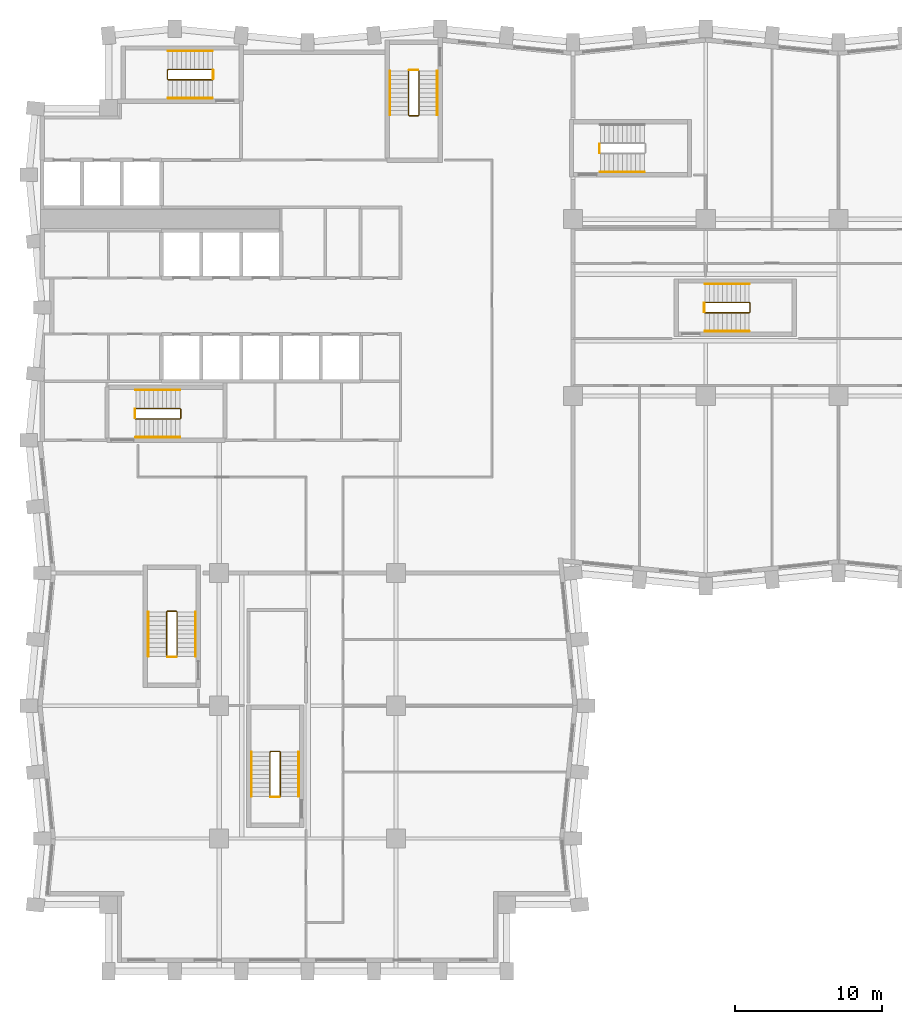
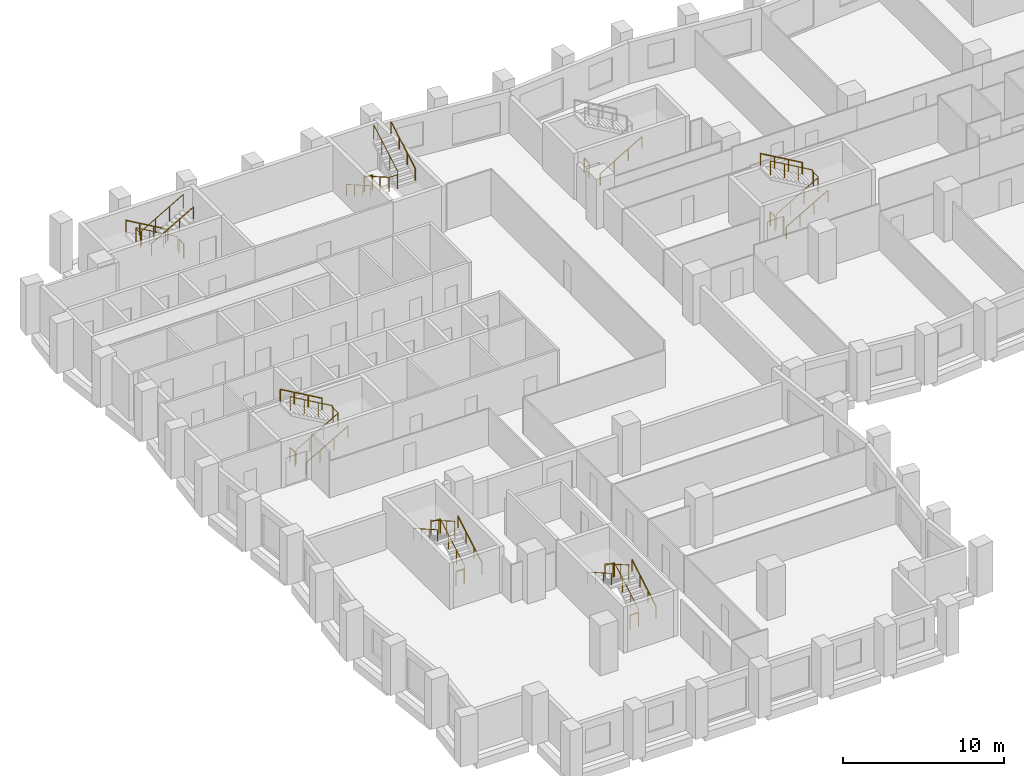
# One storey, part 10 of 11: 26 railings.
"""IFC4 building model written with IfcOpenShell, lengths in metres."""

from ifc_helpers import new_model, si_unit, direction, frame, origin, origin_2d, place, context, subcontext, project, spatial, circle, extrude, material, type_object, element, save


model = new_model("IFC4")

# Units and contexts
model_context = context("Model", 3, precision=1e-05, world=origin(), true_north=direction((0.0, 1.0)))
body_context = subcontext(model_context, "Body", "Model", "MODEL_VIEW")
ifc_project = project(units=[si_unit("LENGTHUNIT", "METRE"), si_unit("AREAUNIT", "SQUARE_METRE"), si_unit("VOLUMEUNIT", "CUBIC_METRE"), si_unit("PLANEANGLEUNIT", "RADIAN"), si_unit("MASSUNIT", "GRAM", prefix="KILO")], contexts=[model_context])

# Site, building, storey
site_placement = place(None, origin())
site = spatial("IfcSite", under=ifc_project, at=site_placement, CompositionType="ELEMENT")
building_placement = place(site_placement, origin())
building = spatial("IfcBuilding", under=site, at=building_placement, Name="Brondeck Convention Tower", CompositionType="ELEMENT")
storey_placement = place(building_placement, frame((0.0, 0.0, 126.5)))
storey = spatial("IfcBuildingStorey", under=building, at=storey_placement, Name="L30", CompositionType="ELEMENT", Elevation=126.5)

# Railings
ifc_material = material(Name="Steel S355", Category="steel")
railing_type_1 = type_object("IfcRailingType", Name="Stair guard 1100", PredefinedType="GUARDRAIL", material=ifc_material)
railing_1_placement = place(storey_placement, frame((6.35009765625, 37.449951171875, 0.172607421875)))
element("IfcRailing", 1, at=railing_1_placement, inside=storey, type_object=railing_type_1, Name="L30 ST-1 stair guard 1", PredefinedType="GUARDRAIL", context=body_context, shape_type="SweptSolid", body=[
    extrude(circle(Radius=0.02392578125, at=origin_2d()), frame((0.0, 0.0, 1.076171875), z_axis=(0.866619684472, 0.0, 0.498969260062), x_axis=(0.0, 1.0, 0.0)), (0.0, 0.0, 1.0), 3.461669921875),
    extrude(circle(Radius=0.02392578125, at=origin_2d()), frame((3.0, 0.0, 2.80322265625), z_axis=(0.705375805398, 0.708833529934, 0.0), x_axis=(-0.708833529934, 0.705375805398, 0.0)), (0.0, 0.0, 1.0), 0.070556640625),
    extrude(circle(Radius=0.02392578125, at=origin_2d()), frame((3.0498046875, 0.050048828125, 2.80322265625), z_axis=(0.0, 1.0, 0.0), x_axis=(-1.0, 0.0, 0.0)), (0.0, 0.0, 1.0), 0.60009765625),
    extrude(circle(Radius=0.02392578125, at=origin_2d()), frame((3.0498046875, 0.650146484375, 2.80322265625), z_axis=(-0.266832911964, 0.266832911964, 0.926067165051), x_axis=(-0.707106781187, -0.707106781187, 0.0)), (0.0, 0.0, 1.0), 0.186767578125),
    extrude(circle(Radius=0.02392578125, at=origin_2d()), frame((3.0, 0.699951171875, 2.97607421875), z_axis=(-0.866619684472, 0.0, 0.498969260062), x_axis=(0.0, -1.0, 0.0)), (0.0, 0.0, 1.0), 3.461669921875),
    extrude(circle(Radius=0.02099609375, at=origin_2d()), origin(), (0.0, 0.0, 1.0), 1.052001953125),
    extrude(circle(Radius=0.02099609375, at=origin_2d()), frame((1.0, 0.0, 0.57568359375)), (0.0, 0.0, 1.0), 1.052001953125),
    extrude(circle(Radius=0.02099609375, at=origin_2d()), frame((2.0, 0.0, 1.151611328125)), (0.0, 0.0, 1.0), 1.052001953125),
    extrude(circle(Radius=0.02099609375, at=origin_2d()), frame((3.0, 0.0, 1.727294921875)), (0.0, 0.0, 1.0), 1.052001953125),
    extrude(circle(Radius=0.02099609375, at=origin_2d()), frame((3.0498046875, 0.050048828125, 1.727294921875)), (0.0, 0.0, 1.0), 1.052001953125),
    extrude(circle(Radius=0.02099609375, at=origin_2d()), frame((3.0498046875, 0.650146484375, 1.727294921875)), (0.0, 0.0, 1.0), 1.052001953125),
    extrude(circle(Radius=0.02099609375, at=origin_2d()), frame((3.0, 0.699951171875, 1.900146484375)), (0.0, 0.0, 1.0), 1.052001953125),
    extrude(circle(Radius=0.02099609375, at=origin_2d()), frame((2.0, 0.699951171875, 2.475830078125)), (0.0, 0.0, 1.0), 1.052001953125),
    extrude(circle(Radius=0.02099609375, at=origin_2d()), frame((1.0, 0.699951171875, 3.0517578125)), (0.0, 0.0, 1.0), 1.052001953125),
    extrude(circle(Radius=0.02099609375, at=origin_2d()), frame((0.0, 0.699951171875, 3.62744140625)), (0.0, 0.0, 1.0), 1.052001953125),
])
railing_2_placement = place(storey_placement, frame((6.300048828125, 37.5, 0.0)))
element("IfcRailing", 2, at=railing_2_placement, inside=storey, type_object=railing_type_1, Name="L30 ST-1 stair guard 2", PredefinedType="GUARDRAIL", context=body_context, shape_type="SweptSolid", body=[
    extrude(circle(Radius=0.02392578125, at=origin_2d()), frame((0.0, 0.0, 1.076171875), z_axis=(0.0, 1.0, 0.0), x_axis=(-1.0, 0.0, 0.0)), (0.0, 0.0, 1.0), 0.60009765625),
    extrude(circle(Radius=0.02099609375, at=origin_2d()), origin(), (0.0, 0.0, 1.0), 1.052001953125),
    extrude(circle(Radius=0.02099609375, at=origin_2d()), frame((0.0, 0.60009765625, 0.0)), (0.0, 0.0, 1.0), 1.052001953125),
])
railing_3_placement = place(storey_placement, frame((24.85009765625, 61.050048828125, 0.172607421875)))
element("IfcRailing", 3, at=railing_3_placement, inside=storey, type_object=railing_type_1, Name="L30 ST-2 stair guard 1", PredefinedType="GUARDRAIL", context=body_context, shape_type="SweptSolid", body=[
    extrude(circle(Radius=0.02392578125, at=origin_2d()), frame((0.0, 0.0, 1.076171875), z_axis=(0.0, -0.866619684472, 0.498969260062), x_axis=(1.0, 0.0, 0.0)), (0.0, 0.0, 1.0), 3.461669921875),
    extrude(circle(Radius=0.02392578125, at=origin_2d()), frame((0.0, -3.0, 2.80322265625), z_axis=(0.705375805398, -0.708833529934, 0.0), x_axis=(0.708833529934, 0.705375805398, 0.0)), (0.0, 0.0, 1.0), 0.070556640625),
    extrude(circle(Radius=0.02392578125, at=origin_2d()), frame((0.0498046875, -3.050048828125, 2.80322265625), z_axis=(1.0, 0.0, 0.0), x_axis=(0.0, 1.0, 0.0)), (0.0, 0.0, 1.0), 0.60009765625),
    extrude(circle(Radius=0.02392578125, at=origin_2d()), frame((0.64990234375, -3.050048828125, 2.80322265625), z_axis=(0.267953482034, 0.267953482034, 0.925419830635), x_axis=(-0.707106781187, 0.707106781187, 0.0)), (0.0, 0.0, 1.0), 0.186767578125),
    extrude(circle(Radius=0.02392578125, at=origin_2d()), frame((0.699951171875, -3.0, 2.97607421875), z_axis=(0.0, 0.866619684472, 0.498969260062), x_axis=(-1.0, 0.0, 0.0)), (0.0, 0.0, 1.0), 3.461669921875),
    extrude(circle(Radius=0.02099609375, at=origin_2d()), origin(), (0.0, 0.0, 1.0), 1.052001953125),
    extrude(circle(Radius=0.02099609375, at=origin_2d()), frame((0.0, -1.0, 0.57568359375)), (0.0, 0.0, 1.0), 1.052001953125),
    extrude(circle(Radius=0.02099609375, at=origin_2d()), frame((0.0, -2.0, 1.151611328125)), (0.0, 0.0, 1.0), 1.052001953125),
    extrude(circle(Radius=0.02099609375, at=origin_2d()), frame((0.0, -3.0, 1.727294921875)), (0.0, 0.0, 1.0), 1.052001953125),
    extrude(circle(Radius=0.02099609375, at=origin_2d()), frame((0.0498046875, -3.050048828125, 1.727294921875)), (0.0, 0.0, 1.0), 1.052001953125),
    extrude(circle(Radius=0.02099609375, at=origin_2d()), frame((0.64990234375, -3.050048828125, 1.727294921875)), (0.0, 0.0, 1.0), 1.052001953125),
    extrude(circle(Radius=0.02099609375, at=origin_2d()), frame((0.699951171875, -3.0, 1.900146484375)), (0.0, 0.0, 1.0), 1.052001953125),
    extrude(circle(Radius=0.02099609375, at=origin_2d()), frame((0.699951171875, -2.0, 2.475830078125)), (0.0, 0.0, 1.0), 1.052001953125),
    extrude(circle(Radius=0.02099609375, at=origin_2d()), frame((0.699951171875, -1.0, 3.0517578125)), (0.0, 0.0, 1.0), 1.052001953125),
    extrude(circle(Radius=0.02099609375, at=origin_2d()), frame((0.699951171875, 0.0, 3.62744140625)), (0.0, 0.0, 1.0), 1.052001953125),
])
railing_4_placement = place(storey_placement, frame((24.89990234375, 61.10009765625, 0.0)))
element("IfcRailing", 4, at=railing_4_placement, inside=storey, type_object=railing_type_1, Name="L30 ST-2 stair guard 2", PredefinedType="GUARDRAIL", context=body_context, shape_type="SweptSolid", body=[
    extrude(circle(Radius=0.02392578125, at=origin_2d()), frame((0.0, 0.0, 1.076171875), z_axis=(1.0, 0.0, 0.0), x_axis=(0.0, 1.0, 0.0)), (0.0, 0.0, 1.0), 0.60009765625),
    extrude(circle(Radius=0.02099609375, at=origin_2d()), origin(), (0.0, 0.0, 1.0), 1.052001953125),
    extrude(circle(Radius=0.02099609375, at=origin_2d()), frame((0.60009765625, 0.0, 0.0)), (0.0, 0.0, 1.0), 1.052001953125),
])
railing_5_placement = place(storey_placement, frame((11.550048828125, 61.14990234375, 0.172607421875)))
element("IfcRailing", 5, at=railing_5_placement, inside=storey, type_object=railing_type_1, Name="L30 ST-3 stair guard 1", PredefinedType="GUARDRAIL", context=body_context, shape_type="SweptSolid", body=[
    extrude(circle(Radius=0.02392578125, at=origin_2d()), frame((0.0, 0.0, 1.076171875), z_axis=(-0.866619684472, 0.0, 0.498969260062), x_axis=(0.0, -1.0, 0.0)), (0.0, 0.0, 1.0), 3.461669921875),
    extrude(circle(Radius=0.02392578125, at=origin_2d()), frame((-3.0, 0.0, 2.80322265625), z_axis=(-0.708833529934, -0.705375805398, 0.0), x_axis=(0.705375805398, -0.708833529934, 0.0)), (0.0, 0.0, 1.0), 0.070556640625),
    extrude(circle(Radius=0.02392578125, at=origin_2d()), frame((-3.050048828125, -0.0498046875, 2.80322265625), z_axis=(0.0, -1.0, 0.0), x_axis=(1.0, 0.0, 0.0)), (0.0, 0.0, 1.0), 0.60009765625),
    extrude(circle(Radius=0.02392578125, at=origin_2d()), frame((-3.050048828125, -0.64990234375, 2.80322265625), z_axis=(0.267953482034, -0.267953482034, 0.925419830635), x_axis=(0.707106781187, 0.707106781187, 0.0)), (0.0, 0.0, 1.0), 0.186767578125),
    extrude(circle(Radius=0.02392578125, at=origin_2d()), frame((-3.0, -0.699951171875, 2.97607421875), z_axis=(0.866619684472, 0.0, 0.498969260062), x_axis=(0.0, 1.0, 0.0)), (0.0, 0.0, 1.0), 3.461669921875),
    extrude(circle(Radius=0.02099609375, at=origin_2d()), origin(), (0.0, 0.0, 1.0), 1.052001953125),
    extrude(circle(Radius=0.02099609375, at=origin_2d()), frame((-1.0, 0.0, 0.57568359375)), (0.0, 0.0, 1.0), 1.052001953125),
    extrude(circle(Radius=0.02099609375, at=origin_2d()), frame((-2.0, 0.0, 1.151611328125)), (0.0, 0.0, 1.0), 1.052001953125),
    extrude(circle(Radius=0.02099609375, at=origin_2d()), frame((-3.0, 0.0, 1.727294921875)), (0.0, 0.0, 1.0), 1.052001953125),
    extrude(circle(Radius=0.02099609375, at=origin_2d()), frame((-3.050048828125, -0.0498046875, 1.727294921875)), (0.0, 0.0, 1.0), 1.052001953125),
    extrude(circle(Radius=0.02099609375, at=origin_2d()), frame((-3.050048828125, -0.64990234375, 1.727294921875)), (0.0, 0.0, 1.0), 1.052001953125),
    extrude(circle(Radius=0.02099609375, at=origin_2d()), frame((-3.0, -0.699951171875, 1.900146484375)), (0.0, 0.0, 1.0), 1.052001953125),
    extrude(circle(Radius=0.02099609375, at=origin_2d()), frame((-2.0, -0.699951171875, 2.475830078125)), (0.0, 0.0, 1.0), 1.052001953125),
    extrude(circle(Radius=0.02099609375, at=origin_2d()), frame((-1.0, -0.699951171875, 3.0517578125)), (0.0, 0.0, 1.0), 1.052001953125),
    extrude(circle(Radius=0.02099609375, at=origin_2d()), frame((0.0, -0.699951171875, 3.62744140625)), (0.0, 0.0, 1.0), 1.052001953125),
])
railing_6_placement = place(storey_placement, frame((11.60009765625, 61.10009765625, 0.0)))
element("IfcRailing", 6, at=railing_6_placement, inside=storey, type_object=railing_type_1, Name="L30 ST-3 stair guard 2", PredefinedType="GUARDRAIL", context=body_context, shape_type="SweptSolid", body=[
    extrude(circle(Radius=0.02392578125, at=origin_2d()), frame((0.0, 0.0, 1.076171875), z_axis=(0.0, -1.0, 0.0), x_axis=(1.0, 0.0, 0.0)), (0.0, 0.0, 1.0), 0.60009765625),
    extrude(circle(Radius=0.02099609375, at=origin_2d()), origin(), (0.0, 0.0, 1.0), 1.052001953125),
    extrude(circle(Radius=0.02099609375, at=origin_2d()), frame((0.0, -0.60009765625, 0.0)), (0.0, 0.0, 1.0), 1.052001953125),
])
railing_7_placement = place(storey_placement, frame((37.800048828125, 55.5, 0.0)))
element("IfcRailing", 7, at=railing_7_placement, inside=storey, type_object=railing_type_1, Name="L30 ST-AE stair guard 2", PredefinedType="GUARDRAIL", context=body_context, shape_type="SweptSolid", body=[
    extrude(circle(Radius=0.02392578125, at=origin_2d()), frame((0.0, 0.0, 1.076171875), z_axis=(0.0, 1.0, 0.0), x_axis=(-1.0, 0.0, 0.0)), (0.0, 0.0, 1.0), 0.60009765625),
    extrude(circle(Radius=0.02099609375, at=origin_2d()), origin(), (0.0, 0.0, 1.0), 1.052001953125),
    extrude(circle(Radius=0.02099609375, at=origin_2d()), frame((0.0, 0.60009765625, 0.0)), (0.0, 0.0, 1.0), 1.052001953125),
])
railing_8_placement = place(storey_placement, frame((9.14990234375, 21.35009765625, 0.172607421875)))
element("IfcRailing", 8, at=railing_8_placement, inside=storey, type_object=railing_type_1, Name="L30 ST-BE stair guard 1", PredefinedType="GUARDRAIL", context=body_context, shape_type="SweptSolid", body=[
    extrude(circle(Radius=0.02392578125, at=origin_2d()), frame((0.0, 0.0, 1.076171875), z_axis=(0.0, 0.866619684472, 0.498969260062), x_axis=(-1.0, 0.0, 0.0)), (0.0, 0.0, 1.0), 3.461669921875),
    extrude(circle(Radius=0.02392578125, at=origin_2d()), frame((0.0, 3.0, 2.80322265625), z_axis=(-0.707106781187, 0.707106781187, 0.0), x_axis=(-0.707106781187, -0.707106781187, 0.0)), (0.0, 0.0, 1.0), 0.0703125),
    extrude(circle(Radius=0.02392578125, at=origin_2d()), frame((-0.0498046875, 3.0498046875, 2.80322265625), z_axis=(-1.0, 0.0, 0.0), x_axis=(0.0, -1.0, 0.0)), (0.0, 0.0, 1.0), 0.60009765625),
    extrude(circle(Radius=0.02392578125, at=origin_2d()), frame((-0.64990234375, 3.0498046875, 2.80322265625), z_axis=(-0.268047150085, -0.266739603011, 0.925743328097), x_axis=(0.705375805398, -0.708833529934, 0.0)), (0.0, 0.0, 1.0), 0.186767578125),
    extrude(circle(Radius=0.02392578125, at=origin_2d()), frame((-0.699951171875, 3.0, 2.97607421875), z_axis=(0.0, -0.866619684472, 0.498969260062), x_axis=(1.0, 0.0, 0.0)), (0.0, 0.0, 1.0), 3.461669921875),
    extrude(circle(Radius=0.02099609375, at=origin_2d()), origin(), (0.0, 0.0, 1.0), 1.052001953125),
    extrude(circle(Radius=0.02099609375, at=origin_2d()), frame((0.0, 1.0, 0.57568359375)), (0.0, 0.0, 1.0), 1.052001953125),
    extrude(circle(Radius=0.02099609375, at=origin_2d()), frame((0.0, 2.0, 1.151611328125)), (0.0, 0.0, 1.0), 1.052001953125),
    extrude(circle(Radius=0.02099609375, at=origin_2d()), frame((0.0, 3.0, 1.727294921875)), (0.0, 0.0, 1.0), 1.052001953125),
    extrude(circle(Radius=0.02099609375, at=origin_2d()), frame((-0.0498046875, 3.0498046875, 1.727294921875)), (0.0, 0.0, 1.0), 1.052001953125),
    extrude(circle(Radius=0.02099609375, at=origin_2d()), frame((-0.64990234375, 3.0498046875, 1.727294921875)), (0.0, 0.0, 1.0), 1.052001953125),
    extrude(circle(Radius=0.02099609375, at=origin_2d()), frame((-0.699951171875, 3.0, 1.900146484375)), (0.0, 0.0, 1.0), 1.052001953125),
    extrude(circle(Radius=0.02099609375, at=origin_2d()), frame((-0.699951171875, 2.0, 2.475830078125)), (0.0, 0.0, 1.0), 1.052001953125),
    extrude(circle(Radius=0.02099609375, at=origin_2d()), frame((-0.699951171875, 1.0, 3.0517578125)), (0.0, 0.0, 1.0), 1.052001953125),
    extrude(circle(Radius=0.02099609375, at=origin_2d()), frame((-0.699951171875, 0.0, 3.62744140625)), (0.0, 0.0, 1.0), 1.052001953125),
])
railing_9_placement = place(storey_placement, frame((9.10009765625, 21.300048828125, 0.0)))
element("IfcRailing", 9, at=railing_9_placement, inside=storey, type_object=railing_type_1, Name="L30 ST-BE stair guard 2", PredefinedType="GUARDRAIL", context=body_context, shape_type="SweptSolid", body=[
    extrude(circle(Radius=0.02392578125, at=origin_2d()), frame((0.0, 0.0, 1.076171875), z_axis=(-1.0, 0.0, 0.0), x_axis=(0.0, -1.0, 0.0)), (0.0, 0.0, 1.0), 0.60009765625),
    extrude(circle(Radius=0.02099609375, at=origin_2d()), origin(), (0.0, 0.0, 1.0), 1.052001953125),
    extrude(circle(Radius=0.02099609375, at=origin_2d()), frame((-0.60009765625, 0.0, 0.0)), (0.0, 0.0, 1.0), 1.052001953125),
])
railing_10_placement = place(storey_placement, frame((44.949951171875, 44.64990234375, 0.172607421875)))
element("IfcRailing", 10, at=railing_10_placement, inside=storey, type_object=railing_type_1, Name="L30 ST-AF stair guard 1", PredefinedType="GUARDRAIL", context=body_context, shape_type="SweptSolid", body=[
    extrude(circle(Radius=0.02392578125, at=origin_2d()), frame((0.0, 0.0, 1.076171875), z_axis=(0.866619684472, 0.0, 0.498969260062), x_axis=(0.0, 1.0, 0.0)), (0.0, 0.0, 1.0), 3.461669921875),
    extrude(circle(Radius=0.02392578125, at=origin_2d()), frame((3.0, 0.0, 2.80322265625), z_axis=(0.707106781187, 0.707106781187, 0.0), x_axis=(-0.707106781187, 0.707106781187, 0.0)), (0.0, 0.0, 1.0), 0.07080078125),
    extrude(circle(Radius=0.02392578125, at=origin_2d()), frame((3.050048828125, 0.050048828125, 2.80322265625), z_axis=(0.0, 1.0, 0.0), x_axis=(-1.0, 0.0, 0.0)), (0.0, 0.0, 1.0), 0.60009765625),
    extrude(circle(Radius=0.02392578125, at=origin_2d()), frame((3.050048828125, 0.650146484375, 2.80322265625), z_axis=(-0.267953482034, 0.267953482034, 0.925419830635), x_axis=(-0.707106781187, -0.707106781187, 0.0)), (0.0, 0.0, 1.0), 0.186767578125),
    extrude(circle(Radius=0.02392578125, at=origin_2d()), frame((3.0, 0.7001953125, 2.97607421875), z_axis=(-0.866619684472, 0.0, 0.498969260062), x_axis=(0.0, -1.0, 0.0)), (0.0, 0.0, 1.0), 3.461669921875),
    extrude(circle(Radius=0.02099609375, at=origin_2d()), origin(), (0.0, 0.0, 1.0), 1.052001953125),
    extrude(circle(Radius=0.02099609375, at=origin_2d()), frame((1.0, 0.0, 0.57568359375)), (0.0, 0.0, 1.0), 1.052001953125),
    extrude(circle(Radius=0.02099609375, at=origin_2d()), frame((2.0, 0.0, 1.151611328125)), (0.0, 0.0, 1.0), 1.052001953125),
    extrude(circle(Radius=0.02099609375, at=origin_2d()), frame((3.0, 0.0, 1.727294921875)), (0.0, 0.0, 1.0), 1.052001953125),
    extrude(circle(Radius=0.02099609375, at=origin_2d()), frame((3.050048828125, 0.050048828125, 1.727294921875)), (0.0, 0.0, 1.0), 1.052001953125),
    extrude(circle(Radius=0.02099609375, at=origin_2d()), frame((3.050048828125, 0.650146484375, 1.727294921875)), (0.0, 0.0, 1.0), 1.052001953125),
    extrude(circle(Radius=0.02099609375, at=origin_2d()), frame((3.0, 0.7001953125, 1.900146484375)), (0.0, 0.0, 1.0), 1.052001953125),
    extrude(circle(Radius=0.02099609375, at=origin_2d()), frame((2.0, 0.7001953125, 2.475830078125)), (0.0, 0.0, 1.0), 1.052001953125),
    extrude(circle(Radius=0.02099609375, at=origin_2d()), frame((1.0, 0.7001953125, 3.0517578125)), (0.0, 0.0, 1.0), 1.052001953125),
    extrude(circle(Radius=0.02099609375, at=origin_2d()), frame((0.0, 0.7001953125, 3.62744140625)), (0.0, 0.0, 1.0), 1.052001953125),
])
railing_11_placement = place(storey_placement, frame((44.89990234375, 44.699951171875, 0.0)))
element("IfcRailing", 11, at=railing_11_placement, inside=storey, type_object=railing_type_1, Name="L30 ST-AF stair guard 2", PredefinedType="GUARDRAIL", context=body_context, shape_type="SweptSolid", body=[
    extrude(circle(Radius=0.02392578125, at=origin_2d()), frame((0.0, 0.0, 1.076171875), z_axis=(0.0, 1.0, 0.0), x_axis=(-1.0, 0.0, 0.0)), (0.0, 0.0, 1.0), 0.60009765625),
    extrude(circle(Radius=0.02099609375, at=origin_2d()), origin(), (0.0, 0.0, 1.0), 1.052001953125),
    extrude(circle(Radius=0.02099609375, at=origin_2d()), frame((0.0, 0.60009765625, 0.0)), (0.0, 0.0, 1.0), 1.052001953125),
])
railing_12_placement = place(storey_placement, frame((16.14990234375, 11.85009765625, 0.172607421875)))
element("IfcRailing", 12, at=railing_12_placement, inside=storey, type_object=railing_type_1, Name="L30 ST-BF stair guard 1", PredefinedType="GUARDRAIL", context=body_context, shape_type="SweptSolid", body=[
    extrude(circle(Radius=0.02392578125, at=origin_2d()), frame((0.0, 0.0, 1.076171875), z_axis=(0.0, 0.866619684472, 0.498969260062), x_axis=(-1.0, 0.0, 0.0)), (0.0, 0.0, 1.0), 3.461669921875),
    extrude(circle(Radius=0.02392578125, at=origin_2d()), frame((0.0, 3.0, 2.80322265625), z_axis=(-0.707106781187, 0.707106781187, 0.0), x_axis=(-0.707106781187, -0.707106781187, 0.0)), (0.0, 0.0, 1.0), 0.0703125),
    extrude(circle(Radius=0.02392578125, at=origin_2d()), frame((-0.0498046875, 3.0498046875, 2.80322265625), z_axis=(-1.0, 0.0, 0.0), x_axis=(0.0, -1.0, 0.0)), (0.0, 0.0, 1.0), 0.60009765625),
    extrude(circle(Radius=0.02392578125, at=origin_2d()), frame((-0.64990234375, 3.0498046875, 2.80322265625), z_axis=(-0.268047150085, -0.266739603011, 0.925743328097), x_axis=(0.705375805398, -0.708833529934, 0.0)), (0.0, 0.0, 1.0), 0.186767578125),
    extrude(circle(Radius=0.02392578125, at=origin_2d()), frame((-0.699951171875, 3.0, 2.97607421875), z_axis=(0.0, -0.866619684472, 0.498969260062), x_axis=(1.0, 0.0, 0.0)), (0.0, 0.0, 1.0), 3.461669921875),
    extrude(circle(Radius=0.02099609375, at=origin_2d()), origin(), (0.0, 0.0, 1.0), 1.052001953125),
    extrude(circle(Radius=0.02099609375, at=origin_2d()), frame((0.0, 1.0, 0.57568359375)), (0.0, 0.0, 1.0), 1.052001953125),
    extrude(circle(Radius=0.02099609375, at=origin_2d()), frame((0.0, 2.0, 1.151611328125)), (0.0, 0.0, 1.0), 1.052001953125),
    extrude(circle(Radius=0.02099609375, at=origin_2d()), frame((0.0, 3.0, 1.727294921875)), (0.0, 0.0, 1.0), 1.052001953125),
    extrude(circle(Radius=0.02099609375, at=origin_2d()), frame((-0.0498046875, 3.0498046875, 1.727294921875)), (0.0, 0.0, 1.0), 1.052001953125),
    extrude(circle(Radius=0.02099609375, at=origin_2d()), frame((-0.64990234375, 3.0498046875, 1.727294921875)), (0.0, 0.0, 1.0), 1.052001953125),
    extrude(circle(Radius=0.02099609375, at=origin_2d()), frame((-0.699951171875, 3.0, 1.900146484375)), (0.0, 0.0, 1.0), 1.052001953125),
    extrude(circle(Radius=0.02099609375, at=origin_2d()), frame((-0.699951171875, 2.0, 2.475830078125)), (0.0, 0.0, 1.0), 1.052001953125),
    extrude(circle(Radius=0.02099609375, at=origin_2d()), frame((-0.699951171875, 1.0, 3.0517578125)), (0.0, 0.0, 1.0), 1.052001953125),
    extrude(circle(Radius=0.02099609375, at=origin_2d()), frame((-0.699951171875, 0.0, 3.62744140625)), (0.0, 0.0, 1.0), 1.052001953125),
])
railing_13_placement = place(storey_placement, frame((16.10009765625, 11.800048828125, 0.0)))
element("IfcRailing", 13, at=railing_13_placement, inside=storey, type_object=railing_type_1, Name="L30 ST-BF stair guard 2", PredefinedType="GUARDRAIL", context=body_context, shape_type="SweptSolid", body=[
    extrude(circle(Radius=0.02392578125, at=origin_2d()), frame((0.0, 0.0, 1.076171875), z_axis=(-1.0, 0.0, 0.0), x_axis=(0.0, -1.0, 0.0)), (0.0, 0.0, 1.0), 0.60009765625),
    extrude(circle(Radius=0.02099609375, at=origin_2d()), origin(), (0.0, 0.0, 1.0), 1.052001953125),
    extrude(circle(Radius=0.02099609375, at=origin_2d()), frame((-0.60009765625, 0.0, 0.0)), (0.0, 0.0, 1.0), 1.052001953125),
])
railing_type_2 = type_object("IfcRailingType", Name="Stair handrail", PredefinedType="HANDRAIL", material=ifc_material)
railing_14_placement = place(storey_placement, frame((6.35009765625, 36.199951171875, 0.172607421875)))
element("IfcRailing", 14, at=railing_14_placement, inside=storey, type_object=railing_type_2, Name="L30 ST-1 stair handrail 1", PredefinedType="HANDRAIL", context=body_context, shape_type="SweptSolid", body=[
    extrude(circle(Radius=0.02392578125, at=origin_2d()), frame((0.0, 0.0, 0.8759765625), z_axis=(0.866619684472, 0.0, 0.498969260062), x_axis=(0.0, 1.0, 0.0)), (0.0, 0.0, 1.0), 3.461669921875),
    extrude(circle(Radius=0.02099609375, at=origin_2d()), origin(), (0.0, 0.0, 1.0), 0.851806640625),
    extrude(circle(Radius=0.02099609375, at=origin_2d()), frame((1.0, 0.0, 0.57568359375)), (0.0, 0.0, 1.0), 0.851806640625),
    extrude(circle(Radius=0.02099609375, at=origin_2d()), frame((2.0, 0.0, 1.151611328125)), (0.0, 0.0, 1.0), 0.851806640625),
    extrude(circle(Radius=0.02099609375, at=origin_2d()), frame((3.0, 0.0, 1.727294921875)), (0.0, 0.0, 1.0), 0.851806640625),
])
railing_15_placement = place(storey_placement, frame((9.35009765625, 39.39990234375, 2.07275390625)))
element("IfcRailing", 15, at=railing_15_placement, inside=storey, type_object=railing_type_2, Name="L30 ST-1 stair handrail 2", PredefinedType="HANDRAIL", context=body_context, shape_type="SweptSolid", body=[
    extrude(circle(Radius=0.02392578125, at=origin_2d()), frame((0.0, 0.0, 0.8759765625), z_axis=(-0.866619684472, 0.0, 0.498969260062), x_axis=(0.0, -1.0, 0.0)), (0.0, 0.0, 1.0), 3.461669921875),
    extrude(circle(Radius=0.02099609375, at=origin_2d()), origin(), (0.0, 0.0, 1.0), 0.851806640625),
    extrude(circle(Radius=0.02099609375, at=origin_2d()), frame((-1.0, 0.0, 0.57568359375)), (0.0, 0.0, 1.0), 0.851806640625),
    extrude(circle(Radius=0.02099609375, at=origin_2d()), frame((-2.0, 0.0, 1.151611328125)), (0.0, 0.0, 1.0), 0.851806640625),
    extrude(circle(Radius=0.02099609375, at=origin_2d()), frame((-3.0, 0.0, 1.727294921875)), (0.0, 0.0, 1.0), 0.851806640625),
])
railing_16_placement = place(storey_placement, frame((23.60009765625, 61.050048828125, 0.172607421875)))
element("IfcRailing", 16, at=railing_16_placement, inside=storey, type_object=railing_type_2, Name="L30 ST-2 stair handrail 1", PredefinedType="HANDRAIL", context=body_context, shape_type="SweptSolid", body=[
    extrude(circle(Radius=0.02392578125, at=origin_2d()), frame((0.0, 0.0, 0.8759765625), z_axis=(0.0, -0.866619684472, 0.498969260062), x_axis=(1.0, 0.0, 0.0)), (0.0, 0.0, 1.0), 3.461669921875),
    extrude(circle(Radius=0.02099609375, at=origin_2d()), origin(), (0.0, 0.0, 1.0), 0.851806640625),
    extrude(circle(Radius=0.02099609375, at=origin_2d()), frame((0.0, -1.0, 0.57568359375)), (0.0, 0.0, 1.0), 0.851806640625),
    extrude(circle(Radius=0.02099609375, at=origin_2d()), frame((0.0, -2.0, 1.151611328125)), (0.0, 0.0, 1.0), 0.851806640625),
    extrude(circle(Radius=0.02099609375, at=origin_2d()), frame((0.0, -3.0, 1.727294921875)), (0.0, 0.0, 1.0), 0.851806640625),
])
railing_17_placement = place(storey_placement, frame((26.800048828125, 58.050048828125, 2.07275390625)))
element("IfcRailing", 17, at=railing_17_placement, inside=storey, type_object=railing_type_2, Name="L30 ST-2 stair handrail 2", PredefinedType="HANDRAIL", context=body_context, shape_type="SweptSolid", body=[
    extrude(circle(Radius=0.02392578125, at=origin_2d()), frame((0.0, 0.0, 0.8759765625), z_axis=(0.0, 0.866619684472, 0.498969260062), x_axis=(-1.0, 0.0, 0.0)), (0.0, 0.0, 1.0), 3.461669921875),
    extrude(circle(Radius=0.02099609375, at=origin_2d()), origin(), (0.0, 0.0, 1.0), 0.851806640625),
    extrude(circle(Radius=0.02099609375, at=origin_2d()), frame((0.0, 1.0, 0.57568359375)), (0.0, 0.0, 1.0), 0.851806640625),
    extrude(circle(Radius=0.02099609375, at=origin_2d()), frame((0.0, 2.0, 1.151611328125)), (0.0, 0.0, 1.0), 0.851806640625),
    extrude(circle(Radius=0.02099609375, at=origin_2d()), frame((0.0, 3.0, 1.727294921875)), (0.0, 0.0, 1.0), 0.851806640625),
])
railing_18_placement = place(storey_placement, frame((11.550048828125, 62.39990234375, 0.172607421875)))
element("IfcRailing", 18, at=railing_18_placement, inside=storey, type_object=railing_type_2, Name="L30 ST-3 stair handrail 1", PredefinedType="HANDRAIL", context=body_context, shape_type="SweptSolid", body=[
    extrude(circle(Radius=0.02392578125, at=origin_2d()), frame((0.0, 0.0, 0.8759765625), z_axis=(-0.866619684472, 0.0, 0.498969260062), x_axis=(0.0, -1.0, 0.0)), (0.0, 0.0, 1.0), 3.461669921875),
    extrude(circle(Radius=0.02099609375, at=origin_2d()), origin(), (0.0, 0.0, 1.0), 0.851806640625),
    extrude(circle(Radius=0.02099609375, at=origin_2d()), frame((-1.0, 0.0, 0.57568359375)), (0.0, 0.0, 1.0), 0.851806640625),
    extrude(circle(Radius=0.02099609375, at=origin_2d()), frame((-2.0, 0.0, 1.151611328125)), (0.0, 0.0, 1.0), 0.851806640625),
    extrude(circle(Radius=0.02099609375, at=origin_2d()), frame((-3.0, 0.0, 1.727294921875)), (0.0, 0.0, 1.0), 0.851806640625),
])
for number, where, name in (
    (19, (8.550048828125, 59.199951171875, 2.07275390625), "L30 ST-3 stair handrail 2"),
    (20, (37.85009765625, 54.199951171875, 0.172607421875), "L30 ST-AE stair handrail 1"),
):
    element("IfcRailing", number, at=place(storey_placement, frame(where)), inside=storey, type_object=railing_type_2, Name=name, PredefinedType="HANDRAIL", context=body_context, shape_type="SweptSolid", body=[
        extrude(circle(Radius=0.02392578125, at=origin_2d()), frame((0.0, 0.0, 0.8759765625), z_axis=(0.866619684472, 0.0, 0.498969260062), x_axis=(0.0, 1.0, 0.0)), (0.0, 0.0, 1.0), 3.461669921875),
        extrude(circle(Radius=0.02099609375, at=origin_2d()), origin(), (0.0, 0.0, 1.0), 0.851806640625),
        extrude(circle(Radius=0.02099609375, at=origin_2d()), frame((1.0, 0.0, 0.57568359375)), (0.0, 0.0, 1.0), 0.851806640625),
        extrude(circle(Radius=0.02099609375, at=origin_2d()), frame((2.0, 0.0, 1.151611328125)), (0.0, 0.0, 1.0), 0.851806640625),
        extrude(circle(Radius=0.02099609375, at=origin_2d()), frame((3.0, 0.0, 1.727294921875)), (0.0, 0.0, 1.0), 0.851806640625),
    ])
railing_19_placement = place(storey_placement, frame((10.39990234375, 21.35009765625, 0.172607421875)))
element("IfcRailing", 21, at=railing_19_placement, inside=storey, type_object=railing_type_2, Name="L30 ST-BE stair handrail 1", PredefinedType="HANDRAIL", context=body_context, shape_type="SweptSolid", body=[
    extrude(circle(Radius=0.02392578125, at=origin_2d()), frame((0.0, 0.0, 0.8759765625), z_axis=(0.0, 0.866619684472, 0.498969260062), x_axis=(-1.0, 0.0, 0.0)), (0.0, 0.0, 1.0), 3.461669921875),
    extrude(circle(Radius=0.02099609375, at=origin_2d()), origin(), (0.0, 0.0, 1.0), 0.851806640625),
    extrude(circle(Radius=0.02099609375, at=origin_2d()), frame((0.0, 1.0, 0.57568359375)), (0.0, 0.0, 1.0), 0.851806640625),
    extrude(circle(Radius=0.02099609375, at=origin_2d()), frame((0.0, 2.0, 1.151611328125)), (0.0, 0.0, 1.0), 0.851806640625),
    extrude(circle(Radius=0.02099609375, at=origin_2d()), frame((0.0, 3.0, 1.727294921875)), (0.0, 0.0, 1.0), 0.851806640625),
])
railing_20_placement = place(storey_placement, frame((7.199951171875, 24.35009765625, 2.07275390625)))
element("IfcRailing", 22, at=railing_20_placement, inside=storey, type_object=railing_type_2, Name="L30 ST-BE stair handrail 2", PredefinedType="HANDRAIL", context=body_context, shape_type="SweptSolid", body=[
    extrude(circle(Radius=0.02392578125, at=origin_2d()), frame((0.0, 0.0, 0.8759765625), z_axis=(0.0, -0.866619684472, 0.498969260062), x_axis=(1.0, 0.0, 0.0)), (0.0, 0.0, 1.0), 3.461669921875),
    extrude(circle(Radius=0.02099609375, at=origin_2d()), origin(), (0.0, 0.0, 1.0), 0.851806640625),
    extrude(circle(Radius=0.02099609375, at=origin_2d()), frame((0.0, -1.0, 0.57568359375)), (0.0, 0.0, 1.0), 0.851806640625),
    extrude(circle(Radius=0.02099609375, at=origin_2d()), frame((0.0, -2.0, 1.151611328125)), (0.0, 0.0, 1.0), 0.851806640625),
    extrude(circle(Radius=0.02099609375, at=origin_2d()), frame((0.0, -3.0, 1.727294921875)), (0.0, 0.0, 1.0), 0.851806640625),
])
railing_21_placement = place(storey_placement, frame((44.949951171875, 43.39990234375, 0.172607421875)))
element("IfcRailing", 23, at=railing_21_placement, inside=storey, type_object=railing_type_2, Name="L30 ST-AF stair handrail 1", PredefinedType="HANDRAIL", context=body_context, shape_type="SweptSolid", body=[
    extrude(circle(Radius=0.02392578125, at=origin_2d()), frame((0.0, 0.0, 0.8759765625), z_axis=(0.866619684472, 0.0, 0.498969260062), x_axis=(0.0, 1.0, 0.0)), (0.0, 0.0, 1.0), 3.461669921875),
    extrude(circle(Radius=0.02099609375, at=origin_2d()), origin(), (0.0, 0.0, 1.0), 0.851806640625),
    extrude(circle(Radius=0.02099609375, at=origin_2d()), frame((1.0, 0.0, 0.57568359375)), (0.0, 0.0, 1.0), 0.851806640625),
    extrude(circle(Radius=0.02099609375, at=origin_2d()), frame((2.0, 0.0, 1.151611328125)), (0.0, 0.0, 1.0), 0.851806640625),
    extrude(circle(Radius=0.02099609375, at=origin_2d()), frame((3.0, 0.0, 1.727294921875)), (0.0, 0.0, 1.0), 0.851806640625),
])
railing_22_placement = place(storey_placement, frame((47.949951171875, 46.60009765625, 2.07275390625)))
element("IfcRailing", 24, at=railing_22_placement, inside=storey, type_object=railing_type_2, Name="L30 ST-AF stair handrail 2", PredefinedType="HANDRAIL", context=body_context, shape_type="SweptSolid", body=[
    extrude(circle(Radius=0.02392578125, at=origin_2d()), frame((0.0, 0.0, 0.8759765625), z_axis=(-0.866619684472, 0.0, 0.498969260062), x_axis=(0.0, -1.0, 0.0)), (0.0, 0.0, 1.0), 3.461669921875),
    extrude(circle(Radius=0.02099609375, at=origin_2d()), origin(), (0.0, 0.0, 1.0), 0.851806640625),
    extrude(circle(Radius=0.02099609375, at=origin_2d()), frame((-1.0, 0.0, 0.57568359375)), (0.0, 0.0, 1.0), 0.851806640625),
    extrude(circle(Radius=0.02099609375, at=origin_2d()), frame((-2.0, 0.0, 1.151611328125)), (0.0, 0.0, 1.0), 0.851806640625),
    extrude(circle(Radius=0.02099609375, at=origin_2d()), frame((-3.0, 0.0, 1.727294921875)), (0.0, 0.0, 1.0), 0.851806640625),
])
railing_23_placement = place(storey_placement, frame((17.39990234375, 11.85009765625, 0.172607421875)))
element("IfcRailing", 25, at=railing_23_placement, inside=storey, type_object=railing_type_2, Name="L30 ST-BF stair handrail 1", PredefinedType="HANDRAIL", context=body_context, shape_type="SweptSolid", body=[
    extrude(circle(Radius=0.02392578125, at=origin_2d()), frame((0.0, 0.0, 0.8759765625), z_axis=(0.0, 0.866619684472, 0.498969260062), x_axis=(-1.0, 0.0, 0.0)), (0.0, 0.0, 1.0), 3.461669921875),
    extrude(circle(Radius=0.02099609375, at=origin_2d()), origin(), (0.0, 0.0, 1.0), 0.851806640625),
    extrude(circle(Radius=0.02099609375, at=origin_2d()), frame((0.0, 1.0, 0.57568359375)), (0.0, 0.0, 1.0), 0.851806640625),
    extrude(circle(Radius=0.02099609375, at=origin_2d()), frame((0.0, 2.0, 1.151611328125)), (0.0, 0.0, 1.0), 0.851806640625),
    extrude(circle(Radius=0.02099609375, at=origin_2d()), frame((0.0, 3.0, 1.727294921875)), (0.0, 0.0, 1.0), 0.851806640625),
])
railing_24_placement = place(storey_placement, frame((14.199951171875, 14.85009765625, 2.07275390625)))
element("IfcRailing", 26, at=railing_24_placement, inside=storey, type_object=railing_type_2, Name="L30 ST-BF stair handrail 2", PredefinedType="HANDRAIL", context=body_context, shape_type="SweptSolid", body=[
    extrude(circle(Radius=0.02392578125, at=origin_2d()), frame((0.0, 0.0, 0.8759765625), z_axis=(0.0, -0.866619684472, 0.498969260062), x_axis=(1.0, 0.0, 0.0)), (0.0, 0.0, 1.0), 3.461669921875),
    extrude(circle(Radius=0.02099609375, at=origin_2d()), origin(), (0.0, 0.0, 1.0), 0.851806640625),
    extrude(circle(Radius=0.02099609375, at=origin_2d()), frame((0.0, -1.0, 0.57568359375)), (0.0, 0.0, 1.0), 0.851806640625),
    extrude(circle(Radius=0.02099609375, at=origin_2d()), frame((0.0, -2.0, 1.151611328125)), (0.0, 0.0, 1.0), 0.851806640625),
    extrude(circle(Radius=0.02099609375, at=origin_2d()), frame((0.0, -3.0, 1.727294921875)), (0.0, 0.0, 1.0), 0.851806640625),
])

save(model, "model.ifc")
